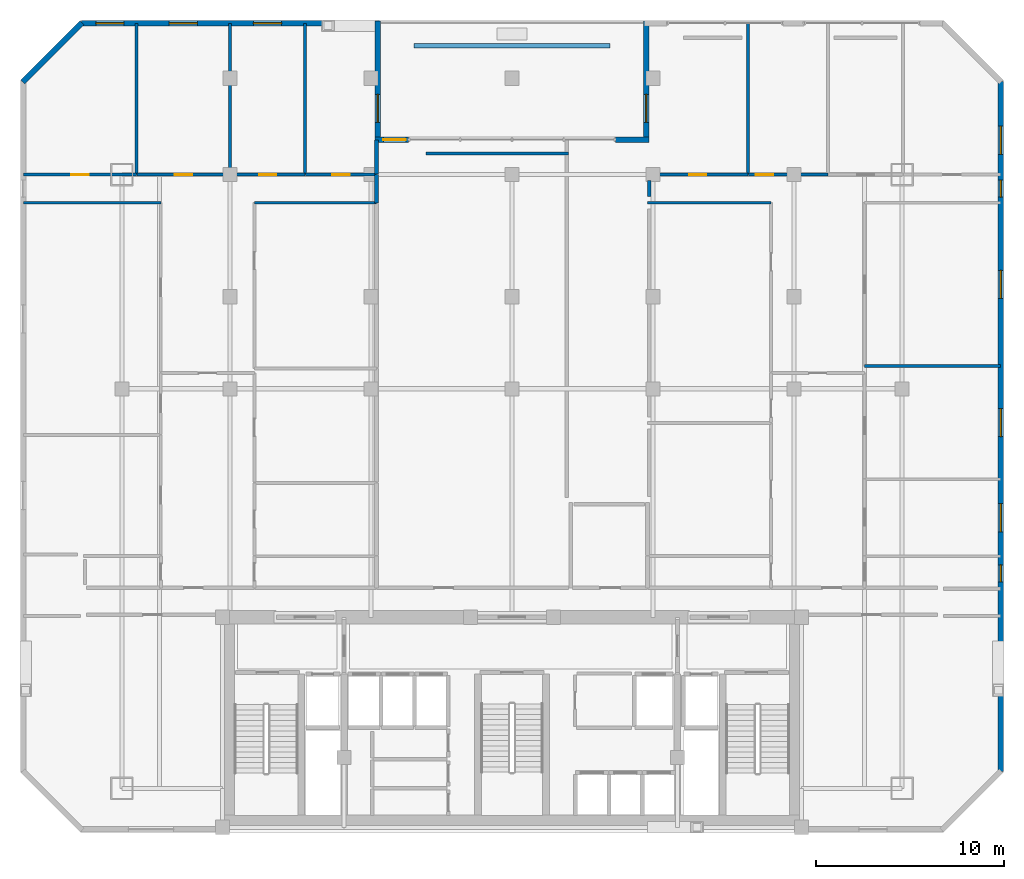
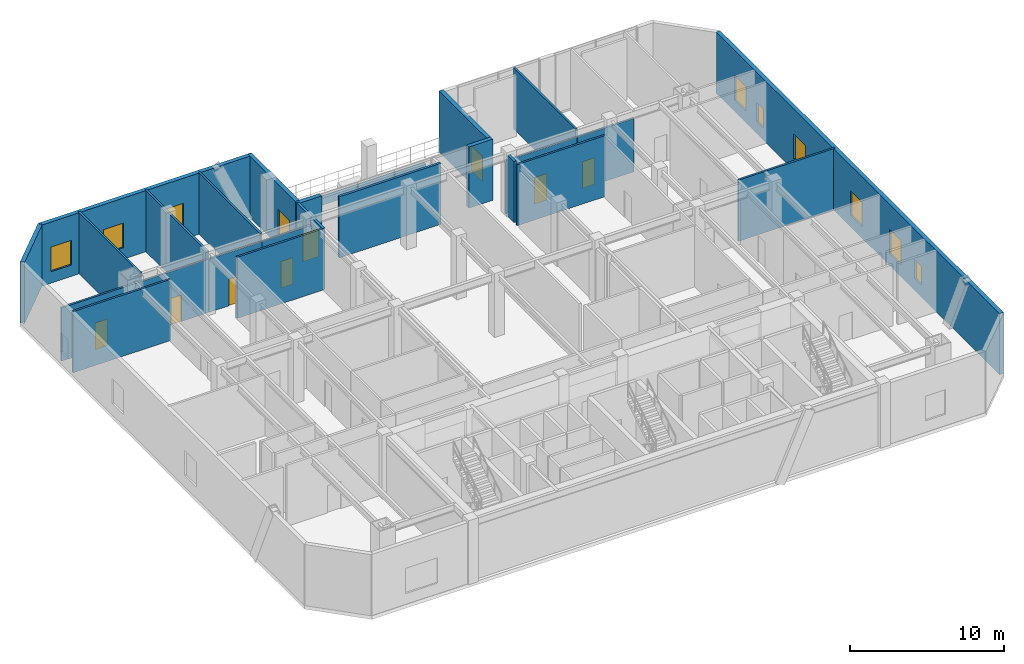
# One storey, part 9 of 11: 26 walls, 11 windows, 7 doors, 18 openings.
"""IFC4 building model written with IfcOpenShell, lengths in metres."""

from ifc_helpers import new_model, si_unit, direction, frame, frame_2d, origin, place, context, subcontext, project, spatial, rectangle, extrude, material, layer, layer_set, type_object, element, fill, save


model = new_model("IFC4")

# Units and contexts
model_context = context("Model", 3, precision=1e-05, world=origin(), true_north=direction((0.0, 1.0)))
body_context = subcontext(model_context, "Body", "Model", "MODEL_VIEW")
ifc_project = project(units=[si_unit("LENGTHUNIT", "METRE"), si_unit("AREAUNIT", "SQUARE_METRE"), si_unit("VOLUMEUNIT", "CUBIC_METRE"), si_unit("PLANEANGLEUNIT", "RADIAN"), si_unit("MASSUNIT", "GRAM", prefix="KILO")], contexts=[model_context])

# Site, building, storey
site_placement = place(None, origin())
site = spatial("IfcSite", under=ifc_project, at=site_placement, CompositionType="ELEMENT")
building_placement = place(site_placement, origin())
building = spatial("IfcBuilding", under=site, at=building_placement, Name="Ventersveld Concourse Tower", CompositionType="ELEMENT")
storey_placement = place(building_placement, frame((0.0, 0.0, 140.14990234375)))
storey = spatial("IfcBuildingStorey", under=building, at=storey_placement, Name="L34", CompositionType="ELEMENT", Elevation=140.14990234375)

# Walls
ifc_material_1 = material(Name="Fire-rated autoclaved aerated masonry blockwork", Category="masonry")
ifc_layer_1 = layer(ifc_material_1, 0.179931640625)
ifc_layer_set_1 = layer_set([ifc_layer_1], Name="Fire-rated autoclaved aerated masonry blockwork")
wall_type_1 = type_object("IfcWallType", Name="WL-CORR-180", PredefinedType="PARTITIONING", material=ifc_layer_set_1)
wall_1_placement = place(storey_placement, frame((24.16796875, 36.1201171875, 0.0), z_axis=(0.0, 0.0, 1.0), x_axis=(1.0, 0.0, 0.0)))
element("IfcWall", 1, at=wall_1_placement, inside=storey, type_object=wall_type_1, Name="L34 Room Enclosure Wall SP-L34-SLOB", PredefinedType="PARTITIONING", context=body_context, shape_type="SweptSolid", body=[
    extrude(rectangle(XDim=7.596923828125, YDim=0.179931640625, at=frame_2d((3.79833984375, 0.0))), origin(), (0.0, 0.0, 1.0), 4.830078125),
])
wall_2_placement = place(storey_placement, frame((36.050048828125, 33.824951171875, 0.0), z_axis=(0.0, 0.0, 1.0), x_axis=(0.0, 1.0, 0.0)))
element("IfcWall", 2, at=wall_2_placement, inside=storey, type_object=wall_type_1, Name="L34 Room Enclosure Wall SP-L34-34CE-LIV", PredefinedType="PARTITIONING", context=body_context, shape_type="SweptSolid", body=[
    extrude(rectangle(XDim=0.85009765625, YDim=0.179931640625, at=frame_2d((0.425048828125, 0.0))), origin(), (0.0, 0.0, 1.0), 4.830078125),
])
ifc_layer_2 = layer(ifc_material_1, 0.199951171875)
ifc_layer_set_2 = layer_set([ifc_layer_2], Name="Fire-rated autoclaved aerated masonry blockwork")
wall_type_2 = type_object("IfcWallType", Name="WL-DEMISE-200", PredefinedType="PARTITIONING", material=ifc_layer_set_2)
wall_3_placement = place(storey_placement, frame((21.5400390625, 33.4951171875, 0.0), z_axis=(0.0, 0.0, 1.0), x_axis=(0.0, 1.0, 0.0)))
element("IfcWall", 3, at=wall_3_placement, inside=storey, type_object=wall_type_2, Name="L34 Interior Partition SP-L34-SLOB-SP-L34-34CW-LIV", PredefinedType="PARTITIONING", context=body_context, shape_type="SweptSolid", body=[
    extrude(rectangle(XDim=1.509765625, YDim=0.199951171875, at=frame_2d((0.7548828125, 0.0))), origin(), (0.0, 0.0, 1.0), 4.830078125),
])
wall_4_placement = place(storey_placement, frame((21.5400390625, 35.034912109375, 0.0), z_axis=(0.0, 0.0, 1.0), x_axis=(0.0, 1.0, 0.0)))
element("IfcWall", 4, at=wall_4_placement, inside=storey, type_object=wall_type_2, Name="L34 Interior Partition SP-L34-SLOB-SP-L34-34CW-BR4", PredefinedType="PARTITIONING", context=body_context, shape_type="SweptSolid", body=[
    extrude(rectangle(XDim=1.79248046875, YDim=0.199951171875, at=frame_2d((0.896240234375, 0.0))), origin(), (0.0, 0.0, 1.0), 4.830078125),
])
ifc_material_2 = material(Name="Autoclaved aerated masonry blockwork", Category="masonry")
ifc_layer_3 = layer(ifc_material_2, 0.14990234375)
ifc_layer_set_3 = layer_set([ifc_layer_3], Name="Autoclaved aerated masonry blockwork")
wall_type_3 = type_object("IfcWallType", Name="WL-INT-150", PredefinedType="PARTITIONING", material=ifc_layer_set_3)
wall_5_placement = place(storey_placement, frame((2.7724609375, 33.5, 0.0), z_axis=(0.0, 0.0, 1.0), x_axis=(1.0, 0.0, 0.0)))
element("IfcWall", 5, at=wall_5_placement, inside=storey, type_object=wall_type_3, Name="L34 Interior Partition SP-L34-34CW-LIV-SP-L34-34CW-OFFL2", PredefinedType="PARTITIONING", context=body_context, shape_type="SweptSolid", body=[
    extrude(rectangle(XDim=7.30224609375, YDim=0.14990234375, at=frame_2d((3.651123046875, 0.0))), origin(), (0.0, 0.0, 1.0), 4.830078125),
])
wall_6_placement = place(storey_placement, frame((15.044677734375, 33.5, 0.0), z_axis=(0.0, 0.0, 1.0), x_axis=(1.0, 0.0, 0.0)))
element("IfcWall", 6, at=wall_6_placement, inside=storey, type_object=wall_type_3, Name="L34 Interior Partition SP-L34-34CW-LIV-SP-L34-34CW-DENS2", PredefinedType="PARTITIONING", context=body_context, shape_type="SweptSolid", body=[
    extrude(rectangle(XDim=6.500244140625, YDim=0.14990234375, at=frame_2d((3.25, 0.0))), origin(), (0.0, 0.0, 1.0), 4.830078125),
])

# Wall, opening, door
wall_7_placement = place(storey_placement, frame((2.7724609375, 35.0, 0.0), z_axis=(0.0, 0.0, 1.0), x_axis=(1.0, 0.0, 0.0)))
wall_7 = element("IfcWall", 7, at=wall_7_placement, inside=storey, type_object=wall_type_3, Name="L34 Interior Partition SP-L34-34CW-LIV-SP-L34-34CW-BR1", PredefinedType="PARTITIONING", context=body_context, shape_type="SweptSolid", body=[
    extrude(rectangle(XDim=6.005126953125, YDim=0.14990234375, at=frame_2d((3.00244140625, 0.0))), origin(), (0.0, 0.0, 1.0), 4.212890625),
])
opening_1_placement = place(wall_7_placement, frame((2.54248046875, 0.0, 0.0)))
opening_1 = element("IfcOpeningElement", 8, at=opening_1_placement, cuts=wall_7, Name="Opening ID1", PredefinedType="OPENING", context=body_context, shape_type="SweptSolid", body=[
    extrude(rectangle(XDim=0.919921875, YDim=2.10009765625, at=frame_2d((0.4599609375, 1.050048828125))), frame((0.0, 0.0849609375, 0.0), z_axis=(0.0, -1.0, 0.0), x_axis=(1.0, 0.0, 0.0)), (0.0, 0.0, 1.0), 0.169921875),
])
ifc_material_3 = material(Name="Solid-core hardwood veneer timber", Category="wood")
door_type_1 = type_object("IfcDoorType", Name="DR-ROOM-092", OperationType="NOTDEFINED", PredefinedType="DOOR", material=ifc_material_3)
door_1_placement = place(opening_1_placement, origin())
door_1 = element("IfcDoor", 9, at=door_1_placement, inside=storey, type_object=door_type_1, Name="L34 Interior Door SP-L34-34CW-LIV to SP-L34-34CW-BR1 (D-L34-1682)", OperationType="SINGLE_SWING_RIGHT", OverallHeight=2.10009765625, OverallWidth=0.919921875, PredefinedType="DOOR", context=body_context, shape_type="SweptSolid", body=[
    extrude(rectangle(XDim=0.919921875, YDim=2.10009765625, at=frame_2d((0.4599609375, 1.050048828125))), frame((0.0, 0.02490234375, 0.0), z_axis=(0.0, -1.0, 0.0), x_axis=(1.0, 0.0, 0.0)), (0.0, 0.0, 1.0), 0.050048828125),
])
fill(opening_1, door_1)

wall_8_placement = place(storey_placement, frame((8.8076171875, 35.0, 0.0), z_axis=(0.0, 0.0, 1.0), x_axis=(1.0, 0.0, 0.0)))
wall_8 = element("IfcWall", 10, at=wall_8_placement, inside=storey, type_object=wall_type_3, Name="L34 Interior Partition SP-L34-34CW-LIV-SP-L34-34CW-BR2", PredefinedType="PARTITIONING", context=body_context, shape_type="SweptSolid", body=[
    extrude(rectangle(XDim=4.947265625, YDim=0.14990234375, at=frame_2d((2.4736328125, 0.0))), origin(), (0.0, 0.0, 1.0), 4.212890625),
])
opening_2_placement = place(wall_8_placement, frame((2.013671875, 0.0, 0.0)))
opening_2 = element("IfcOpeningElement", 11, at=opening_2_placement, cuts=wall_8, Name="Opening ID1", PredefinedType="OPENING", context=body_context, shape_type="SweptSolid", body=[
    extrude(rectangle(XDim=0.919921875, YDim=2.10009765625, at=frame_2d((0.4599609375, 1.050048828125))), frame((0.0, 0.0849609375, 0.0), z_axis=(0.0, -1.0, 0.0), x_axis=(1.0, 0.0, 0.0)), (0.0, 0.0, 1.0), 0.169921875),
])
door_2_placement = place(opening_2_placement, origin())
door_2 = element("IfcDoor", 12, at=door_2_placement, inside=storey, type_object=door_type_1, Name="L34 Interior Door SP-L34-34CW-LIV to SP-L34-34CW-BR2 (D-L34-1683)", OperationType="SINGLE_SWING_LEFT", OverallHeight=2.10009765625, OverallWidth=0.919921875, PredefinedType="DOOR", context=body_context, shape_type="SweptSolid", body=[
    extrude(rectangle(XDim=0.919921875, YDim=2.10009765625, at=frame_2d((0.4599609375, 1.050048828125))), frame((0.0, 0.02490234375, 0.0), z_axis=(0.0, -1.0, 0.0), x_axis=(1.0, 0.0, 0.0)), (0.0, 0.0, 1.0), 0.050048828125),
])
fill(opening_2, door_2)

wall_9_placement = place(storey_placement, frame((13.784912109375, 35.0, 0.0), z_axis=(0.0, 0.0, 1.0), x_axis=(1.0, 0.0, 0.0)))
wall_9 = element("IfcWall", 13, at=wall_9_placement, inside=storey, type_object=wall_type_3, Name="L34 Interior Partition SP-L34-34CW-LIV-SP-L34-34CW-BR3", PredefinedType="PARTITIONING", context=body_context, shape_type="SweptSolid", body=[
    extrude(rectangle(XDim=3.9541015625, YDim=0.14990234375, at=frame_2d((1.97705078125, 0.0))), origin(), (0.0, 0.0, 1.0), 4.212890625),
])
opening_3_placement = place(wall_9_placement, frame((1.51708984375, 0.0, 0.0)))
opening_3 = element("IfcOpeningElement", 14, at=opening_3_placement, cuts=wall_9, Name="Opening ID1", PredefinedType="OPENING", context=body_context, shape_type="SweptSolid", body=[
    extrude(rectangle(XDim=0.919921875, YDim=2.10009765625, at=frame_2d((0.4599609375, 1.050048828125))), frame((0.0, 0.0849609375, 0.0), z_axis=(0.0, -1.0, 0.0), x_axis=(1.0, 0.0, 0.0)), (0.0, 0.0, 1.0), 0.169921875),
])
door_3_placement = place(opening_3_placement, origin())
door_3 = element("IfcDoor", 15, at=door_3_placement, inside=storey, type_object=door_type_1, Name="L34 Interior Door SP-L34-34CW-LIV to SP-L34-34CW-BR3 (D-L34-1684)", OperationType="SINGLE_SWING_RIGHT", OverallHeight=2.10009765625, OverallWidth=0.919921875, PredefinedType="DOOR", context=body_context, shape_type="SweptSolid", body=[
    extrude(rectangle(XDim=0.919921875, YDim=2.10009765625, at=frame_2d((0.4599609375, 1.050048828125))), frame((0.0, 0.02490234375, 0.0), z_axis=(0.0, -1.0, 0.0), x_axis=(1.0, 0.0, 0.0)), (0.0, 0.0, 1.0), 0.050048828125),
])
fill(opening_3, door_3)

wall_10_placement = place(storey_placement, frame((17.76904296875, 35.0, 0.0), z_axis=(0.0, 0.0, 1.0), x_axis=(1.0, 0.0, 0.0)))
wall_10 = element("IfcWall", 16, at=wall_10_placement, inside=storey, type_object=wall_type_3, Name="L34 Interior Partition SP-L34-34CW-LIV-SP-L34-34CW-BR4", PredefinedType="PARTITIONING", context=body_context, shape_type="SweptSolid", body=[
    extrude(rectangle(XDim=3.77587890625, YDim=0.14990234375, at=frame_2d((1.887939453125, 0.0))), origin(), (0.0, 0.0, 1.0), 4.212890625),
])
opening_4_placement = place(wall_10_placement, frame((1.427978515625, 0.0, 0.0)))
opening_4 = element("IfcOpeningElement", 17, at=opening_4_placement, cuts=wall_10, Name="Opening ID1", PredefinedType="OPENING", context=body_context, shape_type="SweptSolid", body=[
    extrude(rectangle(XDim=0.919921875, YDim=2.10009765625, at=frame_2d((0.4599609375, 1.050048828125))), frame((0.0, 0.0849609375, 0.0), z_axis=(0.0, -1.0, 0.0), x_axis=(1.0, 0.0, 0.0)), (0.0, 0.0, 1.0), 0.169921875),
])
door_4_placement = place(opening_4_placement, origin())
door_4 = element("IfcDoor", 18, at=door_4_placement, inside=storey, type_object=door_type_1, Name="L34 Interior Door SP-L34-34CW-LIV to SP-L34-34CW-BR4 (D-L34-1685)", OperationType="SINGLE_SWING_LEFT", OverallHeight=2.10009765625, OverallWidth=0.919921875, PredefinedType="DOOR", context=body_context, shape_type="SweptSolid", body=[
    extrude(rectangle(XDim=0.919921875, YDim=2.10009765625, at=frame_2d((0.4599609375, 1.050048828125))), frame((0.0, 0.02490234375, 0.0), z_axis=(0.0, -1.0, 0.0), x_axis=(1.0, 0.0, 0.0)), (0.0, 0.0, 1.0), 0.050048828125),
])
fill(opening_4, door_4)

# Walls
for number, where, z_axis, x_axis, name in (
    (19, (8.772705078125, 34.9951171875, 0.0), (0.0, 0.0, 1.0), (0.0, 1.0, 0.0), "L34 Interior Partition SP-L34-34CW-BR1-SP-L34-34CW-BR2"),
    (20, (13.75, 34.9951171875, 0.0), (0.0, 0.0, 1.0), (0.0, 1.0, 0.0), "L34 Interior Partition SP-L34-34CW-BR2-SP-L34-34CW-BR3"),
    (21, (17.734130859375, 34.9951171875, 0.0), (0.0, 0.0, 1.0), (0.0, 1.0, 0.0), "L34 Interior Partition SP-L34-34CW-BR3-SP-L34-34CW-BR4"),
):
    element("IfcWall", number, at=place(storey_placement, frame(where, z_axis=z_axis, x_axis=x_axis)), inside=storey, type_object=wall_type_3, Name=name, PredefinedType="PARTITIONING", context=body_context, shape_type="SweptSolid", body=[
        extrude(rectangle(XDim=8.032470703125, YDim=0.14990234375, at=frame_2d((4.01611328125, 0.0))), origin(), (0.0, 0.0, 1.0), 4.830078125),
    ])
wall_11_placement = place(storey_placement, frame((35.955078125, 33.5, 0.0), z_axis=(0.0, 0.0, 1.0), x_axis=(1.0, 0.0, 0.0)))
element("IfcWall", 22, at=wall_11_placement, inside=storey, type_object=wall_type_3, Name="L34 Interior Partition SP-L34-34CE-LIV-SP-L34-34CE-OFFL2", PredefinedType="PARTITIONING", context=body_context, shape_type="SweptSolid", body=[
    extrude(rectangle(XDim=6.574951171875, YDim=0.14990234375, at=frame_2d((3.28759765625, 0.0))), origin(), (0.0, 0.0, 1.0), 4.830078125),
])

# Wall, opening, door
wall_12_placement = place(storey_placement, frame((35.955078125, 35.0, 0.0), z_axis=(0.0, 0.0, 1.0), x_axis=(1.0, 0.0, 0.0)))
wall_12 = element("IfcWall", 23, at=wall_12_placement, inside=storey, type_object=wall_type_3, Name="L34 Interior Partition SP-L34-34CE-LIV-SP-L34-34CE-BR1", PredefinedType="PARTITIONING", context=body_context, shape_type="SweptSolid", body=[
    extrude(rectangle(XDim=5.3525390625, YDim=0.14990234375, at=frame_2d((2.67626953125, 0.0))), origin(), (0.0, 0.0, 1.0), 4.212890625),
])
opening_5_placement = place(wall_12_placement, frame((2.21630859375, 0.0, 0.0)))
opening_5 = element("IfcOpeningElement", 24, at=opening_5_placement, cuts=wall_12, Name="Opening ID1", PredefinedType="OPENING", context=body_context, shape_type="SweptSolid", body=[
    extrude(rectangle(XDim=0.919921875, YDim=2.10009765625, at=frame_2d((0.4599609375, 1.050048828125))), frame((0.0, 0.0849609375, 0.0), z_axis=(0.0, -1.0, 0.0), x_axis=(1.0, 0.0, 0.0)), (0.0, 0.0, 1.0), 0.169921875),
])
door_5_placement = place(opening_5_placement, origin())
door_5 = element("IfcDoor", 25, at=door_5_placement, inside=storey, type_object=door_type_1, Name="L34 Interior Door SP-L34-34CE-LIV to SP-L34-34CE-BR1 (D-L34-1695)", OperationType="SINGLE_SWING_LEFT", OverallHeight=2.10009765625, OverallWidth=0.919921875, PredefinedType="DOOR", context=body_context, shape_type="SweptSolid", body=[
    extrude(rectangle(XDim=0.919921875, YDim=2.10009765625, at=frame_2d((0.4599609375, 1.050048828125))), frame((0.0, 0.02490234375, 0.0), z_axis=(0.0, -1.0, 0.0), x_axis=(1.0, 0.0, 0.0)), (0.0, 0.0, 1.0), 0.050048828125),
])
fill(opening_5, door_5)

wall_13_placement = place(storey_placement, frame((41.337646484375, 35.0, 0.0), z_axis=(0.0, 0.0, 1.0), x_axis=(1.0, 0.0, 0.0)))
wall_13 = element("IfcWall", 26, at=wall_13_placement, inside=storey, type_object=wall_type_3, Name="L34 Interior Partition SP-L34-34CE-LIV-SP-L34-34CE-BR2", PredefinedType="PARTITIONING", context=body_context, shape_type="SweptSolid", body=[
    extrude(rectangle(XDim=4.225830078125, YDim=0.14990234375, at=frame_2d((2.11279296875, 0.0))), origin(), (0.0, 0.0, 1.0), 4.212890625),
])
opening_6_placement = place(wall_13_placement, frame((0.38525390625, 0.0, 0.0)))
opening_6 = element("IfcOpeningElement", 27, at=opening_6_placement, cuts=wall_13, Name="Opening ID1", PredefinedType="OPENING", context=body_context, shape_type="SweptSolid", body=[
    extrude(rectangle(XDim=0.919921875, YDim=2.10009765625, at=frame_2d((0.4599609375, 1.050048828125))), frame((0.0, 0.0849609375, 0.0), z_axis=(0.0, -1.0, 0.0), x_axis=(1.0, 0.0, 0.0)), (0.0, 0.0, 1.0), 0.169921875),
])
door_6_placement = place(opening_6_placement, origin())
door_6 = element("IfcDoor", 28, at=door_6_placement, inside=storey, type_object=door_type_1, Name="L34 Interior Door SP-L34-34CE-LIV to SP-L34-34CE-BR2 (D-L34-1696)", OperationType="SINGLE_SWING_RIGHT", OverallHeight=2.10009765625, OverallWidth=0.919921875, PredefinedType="DOOR", context=body_context, shape_type="SweptSolid", body=[
    extrude(rectangle(XDim=0.919921875, YDim=2.10009765625, at=frame_2d((0.4599609375, 1.050048828125))), frame((0.0, 0.02490234375, 0.0), z_axis=(0.0, -1.0, 0.0), x_axis=(1.0, 0.0, 0.0)), (0.0, 0.0, 1.0), 0.050048828125),
])
fill(opening_6, door_6)

# Walls
wall_14_placement = place(storey_placement, frame((47.5, 24.81298828125, 0.0), z_axis=(0.0, 0.0, 1.0), x_axis=(1.0, 0.0, 0.0)))
element("IfcWall", 29, at=wall_14_placement, inside=storey, type_object=wall_type_3, Name="L34 Interior Partition SP-L34-34CE-DENS-SP-L34-34CE-DENS2", PredefinedType="PARTITIONING", context=body_context, shape_type="SweptSolid", body=[
    extrude(rectangle(XDim=7.2275390625, YDim=0.14990234375, at=frame_2d((3.61376953125, 0.0))), origin(), (0.0, 0.0, 1.0), 4.830078125),
])
wall_15_placement = place(storey_placement, frame((41.302734375, 34.9951171875, 0.0), z_axis=(0.0, 0.0, 1.0), x_axis=(0.0, 1.0, 0.0)))
element("IfcWall", 30, at=wall_15_placement, inside=storey, type_object=wall_type_3, Name="L34 Interior Partition SP-L34-34CE-BR1-SP-L34-34CE-BR2", PredefinedType="PARTITIONING", context=body_context, shape_type="SweptSolid", body=[
    extrude(rectangle(XDim=8.036865234375, YDim=0.14990234375, at=frame_2d((4.0185546875, 0.0))), origin(), (0.0, 0.0, 1.0), 4.830078125),
])
ifc_material_4 = material(Name="Precast concrete C45/55", Category="concrete")
ifc_layer_4 = layer(ifc_material_4, 0.239990234375)
ifc_layer_set_4 = layer_set([ifc_layer_4], Name="Precast concrete C45/55")
wall_type_4 = type_object("IfcWallType", Name="WL-KERB-240", PredefinedType="PARAPET", material=ifc_layer_set_4)
wall_16_placement = place(storey_placement, frame((23.550048828125, 41.85009765625, 0.0), z_axis=(0.0, 0.0, 1.0), x_axis=(1.0, 0.0, 0.0)))
element("IfcWall", 31, at=wall_16_placement, inside=storey, type_object=wall_type_4, Name="L34 Landscaped Terrace Planter Kerb SKYGARDEN", PredefinedType="PARAPET", context=body_context, shape_type="SweptSolid", body=[
    extrude(rectangle(XDim=10.39990234375, YDim=0.239990234375, at=frame_2d((5.199951171875, 0.0))), origin(), (0.0, 0.0, 1.0), 0.550048828125),
])

# Wall, openings, windows
ifc_layer_5 = layer(ifc_material_4, 0.300048828125)
ifc_layer_set_5 = layer_set([ifc_layer_5], Name="Precast concrete C45/55")
wall_type_5 = type_object("IfcWallType", Name="WL-PREC-300", PredefinedType="SOLIDWALL", material=ifc_layer_set_5)
wall_17_placement = place(storey_placement, frame((54.75, 3.239990234375, 0.0), z_axis=(0.0, 0.0, 1.0), x_axis=(0.0, 1.0, 0.0)))
wall_17 = element("IfcWall", 32, at=wall_17_placement, inside=storey, type_object=wall_type_5, Name="L34 Highveld Precast Facade Wall E03", PredefinedType="SOLIDWALL", context=body_context, shape_type="SweptSolid", body=[
    extrude(rectangle(XDim=36.719970703125, YDim=0.300048828125, at=frame_2d((18.35986328125, 0.0))), origin(), (0.0, 0.0, 1.0), 4.830078125),
])
opening_7_placement = place(wall_17_placement, frame((30.56005859375, 0.0, 0.949951171875)))
opening_7 = element("IfcOpeningElement", 33, at=opening_7_placement, cuts=wall_17, Name="Opening W4", PredefinedType="OPENING", context=body_context, shape_type="SweptSolid", body=[
    extrude(rectangle(XDim=0.89990234375, YDim=1.5, at=frame_2d((0.449951171875, 0.75))), frame((0.0, 0.16015625, 0.0), z_axis=(0.0, -1.0, 0.0), x_axis=(1.0, 0.0, 0.0)), (0.0, 0.0, 1.0), 0.320068359375),
])
opening_8_placement = place(wall_17_placement, frame((10.094970703125, 0.0, 0.949951171875)))
opening_8 = element("IfcOpeningElement", 34, at=opening_8_placement, cuts=wall_17, Name="Opening W4", PredefinedType="OPENING", context=body_context, shape_type="SweptSolid", body=[
    extrude(rectangle(XDim=0.89990234375, YDim=1.5, at=frame_2d((0.449951171875, 0.75))), frame((0.0, 0.16015625, 0.0), z_axis=(0.0, -1.0, 0.0), x_axis=(1.0, 0.0, 0.0)), (0.0, 0.0, 1.0), 0.320068359375),
])
opening_9_placement = place(wall_17_placement, frame((12.7568359375, 0.0, 0.89990234375)))
opening_9 = element("IfcOpeningElement", 35, at=opening_9_placement, cuts=wall_17, Name="Opening W1", PredefinedType="OPENING", context=body_context, shape_type="SweptSolid", body=[
    extrude(rectangle(XDim=1.5, YDim=1.949951171875, at=frame_2d((0.75, 0.97509765625))), frame((0.0, 0.16015625, 0.0), z_axis=(0.0, -1.0, 0.0), x_axis=(1.0, 0.0, 0.0)), (0.0, 0.0, 1.0), 0.320068359375),
])
opening_10_placement = place(wall_17_placement, frame((17.813232421875, 0.0, 0.89990234375)))
opening_10 = element("IfcOpeningElement", 36, at=opening_10_placement, cuts=wall_17, Name="Opening W1", PredefinedType="OPENING", context=body_context, shape_type="SweptSolid", body=[
    extrude(rectangle(XDim=1.5, YDim=1.949951171875, at=frame_2d((0.75, 0.97509765625))), frame((0.0, 0.16015625, 0.0), z_axis=(0.0, -1.0, 0.0), x_axis=(1.0, 0.0, 0.0)), (0.0, 0.0, 1.0), 0.320068359375),
])
opening_11_placement = place(wall_17_placement, frame((25.16650390625, 0.0, 0.89990234375)))
opening_11 = element("IfcOpeningElement", 37, at=opening_11_placement, cuts=wall_17, Name="Opening W1", PredefinedType="OPENING", context=body_context, shape_type="SweptSolid", body=[
    extrude(rectangle(XDim=1.5, YDim=1.949951171875, at=frame_2d((0.75, 0.97509765625))), frame((0.0, 0.16015625, 0.0), z_axis=(0.0, -1.0, 0.0), x_axis=(1.0, 0.0, 0.0)), (0.0, 0.0, 1.0), 0.320068359375),
])
opening_12_placement = place(wall_17_placement, frame((32.833740234375, 0.0, 0.89990234375)))
opening_12 = element("IfcOpeningElement", 38, at=opening_12_placement, cuts=wall_17, Name="Opening W1", PredefinedType="OPENING", context=body_context, shape_type="SweptSolid", body=[
    extrude(rectangle(XDim=1.5, YDim=1.949951171875, at=frame_2d((0.75, 0.97509765625))), frame((0.0, 0.16015625, 0.0), z_axis=(0.0, -1.0, 0.0), x_axis=(1.0, 0.0, 0.0)), (0.0, 0.0, 1.0), 0.320068359375),
])
ifc_material_5 = material(Name="Tempered acoustic Low-E IGU", Category="glass")
window_type_1 = type_object("IfcWindowType", Name="WIN-090x150", PartitioningType="SINGLE_PANEL", PredefinedType="WINDOW", material=ifc_material_5)
window_1_placement = place(opening_7_placement, origin())
window_1 = element("IfcWindow", 39, at=window_1_placement, inside=storey, type_object=window_type_1, Name="L34 Punched Low-E Window W-0438", OverallHeight=1.5, OverallWidth=0.89990234375, PartitioningType="SINGLE_PANEL", PredefinedType="WINDOW", context=body_context, shape_type="SweptSolid", body=[
    extrude(rectangle(XDim=0.89990234375, YDim=1.5, at=frame_2d((0.449951171875, 0.75))), frame((0.0, 0.030029296875, 0.0), z_axis=(0.0, -1.0, 0.0), x_axis=(1.0, 0.0, 0.0)), (0.0, 0.0, 1.0), 0.06005859375),
])
fill(opening_7, window_1)
window_2_placement = place(opening_8_placement, origin())
window_2 = element("IfcWindow", 40, at=window_2_placement, inside=storey, type_object=window_type_1, Name="L34 Punched Low-E Window W-0439", OverallHeight=1.5, OverallWidth=0.89990234375, PartitioningType="SINGLE_PANEL", PredefinedType="WINDOW", context=body_context, shape_type="SweptSolid", body=[
    extrude(rectangle(XDim=0.89990234375, YDim=1.5, at=frame_2d((0.449951171875, 0.75))), frame((0.0, 0.030029296875, 0.0), z_axis=(0.0, -1.0, 0.0), x_axis=(1.0, 0.0, 0.0)), (0.0, 0.0, 1.0), 0.06005859375),
])
fill(opening_8, window_2)
window_type_2 = type_object("IfcWindowType", Name="WIN-150x210", PartitioningType="SINGLE_PANEL", PredefinedType="WINDOW", material=ifc_material_5)
window_3_placement = place(opening_9_placement, origin())
window_3 = element("IfcWindow", 41, at=window_3_placement, inside=storey, type_object=window_type_2, Name="L34 Punched Low-E Window W-0440", OverallHeight=1.949951171875, OverallWidth=1.5, PartitioningType="SINGLE_PANEL", PredefinedType="WINDOW", context=body_context, shape_type="SweptSolid", body=[
    extrude(rectangle(XDim=1.5, YDim=1.949951171875, at=frame_2d((0.75, 0.97509765625))), frame((0.0, 0.030029296875, 0.0), z_axis=(0.0, -1.0, 0.0), x_axis=(1.0, 0.0, 0.0)), (0.0, 0.0, 1.0), 0.06005859375),
])
fill(opening_9, window_3)
window_4_placement = place(opening_10_placement, origin())
window_4 = element("IfcWindow", 42, at=window_4_placement, inside=storey, type_object=window_type_2, Name="L34 Punched Low-E Window W-0441", OverallHeight=1.949951171875, OverallWidth=1.5, PartitioningType="SINGLE_PANEL", PredefinedType="WINDOW", context=body_context, shape_type="SweptSolid", body=[
    extrude(rectangle(XDim=1.5, YDim=1.949951171875, at=frame_2d((0.75, 0.97509765625))), frame((0.0, 0.030029296875, 0.0), z_axis=(0.0, -1.0, 0.0), x_axis=(1.0, 0.0, 0.0)), (0.0, 0.0, 1.0), 0.06005859375),
])
fill(opening_10, window_4)
window_5_placement = place(opening_11_placement, origin())
window_5 = element("IfcWindow", 43, at=window_5_placement, inside=storey, type_object=window_type_2, Name="L34 Punched Low-E Window W-0442", OverallHeight=1.949951171875, OverallWidth=1.5, PartitioningType="SINGLE_PANEL", PredefinedType="WINDOW", context=body_context, shape_type="SweptSolid", body=[
    extrude(rectangle(XDim=1.5, YDim=1.949951171875, at=frame_2d((0.75, 0.97509765625))), frame((0.0, 0.030029296875, 0.0), z_axis=(0.0, -1.0, 0.0), x_axis=(1.0, 0.0, 0.0)), (0.0, 0.0, 1.0), 0.06005859375),
])
fill(opening_11, window_5)
window_6_placement = place(opening_12_placement, origin())
window_6 = element("IfcWindow", 44, at=window_6_placement, inside=storey, type_object=window_type_2, Name="L34 Punched Low-E Window W-0444", OverallHeight=1.949951171875, OverallWidth=1.5, PartitioningType="SINGLE_PANEL", PredefinedType="WINDOW", context=body_context, shape_type="SweptSolid", body=[
    extrude(rectangle(XDim=1.5, YDim=1.949951171875, at=frame_2d((0.75, 0.97509765625))), frame((0.0, 0.030029296875, 0.0), z_axis=(0.0, -1.0, 0.0), x_axis=(1.0, 0.0, 0.0)), (0.0, 0.0, 1.0), 0.06005859375),
])
fill(opening_12, window_6)

# Wall, opening, window
wall_18_placement = place(storey_placement, frame((35.89990234375, 43.159912109375, 0.0), z_axis=(0.0, 0.0, 1.0), x_axis=(0.0, -1.0, 0.0)))
wall_18 = element("IfcWall", 45, at=wall_18_placement, inside=storey, type_object=wall_type_5, Name="L34 Highveld Precast Facade Wall E06", PredefinedType="SOLIDWALL", context=body_context, shape_type="SweptSolid", body=[
    extrude(rectangle(XDim=6.159912109375, YDim=0.300048828125, at=frame_2d((3.080078125, 0.0))), origin(), (0.0, 0.0, 1.0), 4.830078125),
])
opening_13_placement = place(wall_18_placement, frame((3.889892578125, 0.0, 0.89990234375)))
opening_13 = element("IfcOpeningElement", 46, at=opening_13_placement, cuts=wall_18, Name="Opening W1", PredefinedType="OPENING", context=body_context, shape_type="SweptSolid", body=[
    extrude(rectangle(XDim=1.5, YDim=1.949951171875, at=frame_2d((0.75, 0.97509765625))), frame((0.0, 0.16015625, 0.0), z_axis=(0.0, -1.0, 0.0), x_axis=(1.0, 0.0, 0.0)), (0.0, 0.0, 1.0), 0.320068359375),
])
window_7_placement = place(opening_13_placement, origin())
window_7 = element("IfcWindow", 47, at=window_7_placement, inside=storey, type_object=window_type_2, Name="L34 Punched Low-E Window W-0443", OverallHeight=1.949951171875, OverallWidth=1.5, PartitioningType="SINGLE_PANEL", PredefinedType="WINDOW", context=body_context, shape_type="SweptSolid", body=[
    extrude(rectangle(XDim=1.5, YDim=1.949951171875, at=frame_2d((0.75, 0.97509765625))), frame((0.0, 0.030029296875, 0.0), z_axis=(0.0, -1.0, 0.0), x_axis=(1.0, 0.0, 0.0)), (0.0, 0.0, 1.0), 0.06005859375),
])
fill(opening_13, window_7)

# Wall, opening, door
wall_19_placement = place(storey_placement, frame((21.449951171875, 36.85009765625, 0.0), z_axis=(0.0, 0.0, 1.0), x_axis=(1.0, 0.0, 0.0)))
wall_19 = element("IfcWall", 48, at=wall_19_placement, inside=storey, type_object=wall_type_5, Name="L34 Sky Garden West Pier", PredefinedType="SOLIDWALL", context=body_context, shape_type="SweptSolid", body=[
    extrude(rectangle(XDim=1.800048828125, YDim=0.300048828125, at=frame_2d((0.89990234375, 0.0))), origin(), (0.0, 0.0, 1.0), 4.830078125),
])
opening_14_placement = place(wall_19_placement, frame((0.4599609375, 0.0, 0.0)))
opening_14 = element("IfcOpeningElement", 49, at=opening_14_placement, cuts=wall_19, Name="Opening TD1", PredefinedType="OPENING", context=body_context, shape_type="SweptSolid", body=[
    extrude(rectangle(XDim=1.199951171875, YDim=2.199951171875, at=frame_2d((0.60009765625, 1.10009765625))), frame((0.0, 0.16015625, 0.0), z_axis=(0.0, -1.0, 0.0), x_axis=(1.0, 0.0, 0.0)), (0.0, 0.0, 1.0), 0.320068359375),
])
ifc_material_6 = material(Name="Anodised aluminium EN AW-6063-T6", Category="aluminium")
door_type_2 = type_object("IfcDoorType", Name="DR-TERR-120", OperationType="NOTDEFINED", PredefinedType="DOOR", material=ifc_material_6)
door_7_placement = place(opening_14_placement, origin())
door_7 = element("IfcDoor", 50, at=door_7_placement, inside=storey, type_object=door_type_2, Name="L34 Sky Garden Terrace Door TD-L34-01", OperationType="SINGLE_SWING_LEFT", OverallHeight=2.199951171875, OverallWidth=1.199951171875, PredefinedType="DOOR", context=body_context, shape_type="SweptSolid", body=[
    extrude(rectangle(XDim=1.199951171875, YDim=2.199951171875, at=frame_2d((0.60009765625, 1.10009765625))), frame((0.0, 0.02490234375, 0.0), z_axis=(0.0, -1.0, 0.0), x_axis=(1.0, 0.0, 0.0)), (0.0, 0.0, 1.0), 0.050048828125),
])
fill(opening_14, door_7)

# Wall
wall_20_placement = place(storey_placement, frame((34.25, 36.85009765625, 0.0), z_axis=(0.0, 0.0, 1.0), x_axis=(1.0, 0.0, 0.0)))
element("IfcWall", 51, at=wall_20_placement, inside=storey, type_object=wall_type_5, Name="L34 Sky Garden East Pier", PredefinedType="SOLIDWALL", context=body_context, shape_type="SweptSolid", body=[
    extrude(rectangle(XDim=1.800048828125, YDim=0.300048828125, at=frame_2d((0.89990234375, 0.0))), origin(), (0.0, 0.0, 1.0), 4.830078125),
])

# Wall, opening, window
wall_21_placement = place(storey_placement, frame((21.60009765625, 37.0, 0.0), z_axis=(0.0, 0.0, 1.0), x_axis=(0.0, 1.0, 0.0)))
wall_21 = element("IfcWall", 52, at=wall_21_placement, inside=storey, type_object=wall_type_5, Name="L34 Highveld Precast Facade Wall E08", PredefinedType="SOLIDWALL", context=body_context, shape_type="SweptSolid", body=[
    extrude(rectangle(XDim=6.159912109375, YDim=0.300048828125, at=frame_2d((3.080078125, 0.0))), origin(), (0.0, 0.0, 1.0), 4.830078125),
])
opening_15_placement = place(wall_21_placement, frame((0.77001953125, 0.0, 0.89990234375)))
opening_15 = element("IfcOpeningElement", 53, at=opening_15_placement, cuts=wall_21, Name="Opening W1", PredefinedType="OPENING", context=body_context, shape_type="SweptSolid", body=[
    extrude(rectangle(XDim=1.5, YDim=1.949951171875, at=frame_2d((0.75, 0.97509765625))), frame((0.0, 0.16015625, 0.0), z_axis=(0.0, -1.0, 0.0), x_axis=(1.0, 0.0, 0.0)), (0.0, 0.0, 1.0), 0.320068359375),
])
window_8_placement = place(opening_15_placement, origin())
window_8 = element("IfcWindow", 54, at=window_8_placement, inside=storey, type_object=window_type_2, Name="L34 Punched Low-E Window W-0437", OverallHeight=1.949951171875, OverallWidth=1.5, PartitioningType="SINGLE_PANEL", PredefinedType="WINDOW", context=body_context, shape_type="SweptSolid", body=[
    extrude(rectangle(XDim=1.5, YDim=1.949951171875, at=frame_2d((0.75, 0.97509765625))), frame((0.0, 0.030029296875, 0.0), z_axis=(0.0, -1.0, 0.0), x_axis=(1.0, 0.0, 0.0)), (0.0, 0.0, 1.0), 0.06005859375),
])
fill(opening_15, window_8)

# Wall, openings, windows
wall_22_placement = place(storey_placement, frame((21.7099609375, 43.050048828125, 0.0), z_axis=(0.0, 0.0, 1.0), x_axis=(-1.0, 0.0, 0.0)))
wall_22 = element("IfcWall", 55, at=wall_22_placement, inside=storey, type_object=wall_type_5, Name="L34 Highveld Precast Facade Wall E09", PredefinedType="SOLIDWALL", context=body_context, shape_type="SweptSolid", body=[
    extrude(rectangle(XDim=15.869873046875, YDim=0.300048828125, at=frame_2d((7.93505859375, 0.0))), origin(), (0.0, 0.0, 1.0), 4.830078125),
])
opening_16_placement = place(wall_22_placement, frame((13.60009765625, 0.0, 0.89990234375)))
opening_16 = element("IfcOpeningElement", 56, at=opening_16_placement, cuts=wall_22, Name="Opening W1", PredefinedType="OPENING", context=body_context, shape_type="SweptSolid", body=[
    extrude(rectangle(XDim=1.5, YDim=1.949951171875, at=frame_2d((0.75, 0.97509765625))), frame((0.0, 0.16015625, 0.0), z_axis=(0.0, -1.0, 0.0), x_axis=(1.0, 0.0, 0.0)), (0.0, 0.0, 1.0), 0.320068359375),
])
opening_17_placement = place(wall_22_placement, frame((9.69873046875, 0.0, 0.89990234375)))
opening_17 = element("IfcOpeningElement", 57, at=opening_17_placement, cuts=wall_22, Name="Opening W1", PredefinedType="OPENING", context=body_context, shape_type="SweptSolid", body=[
    extrude(rectangle(XDim=1.5, YDim=1.949951171875, at=frame_2d((0.75, 0.97509765625))), frame((0.0, 0.16015625, 0.0), z_axis=(0.0, -1.0, 0.0), x_axis=(1.0, 0.0, 0.0)), (0.0, 0.0, 1.0), 0.320068359375),
])
opening_18_placement = place(wall_22_placement, frame((5.218017578125, 0.0, 0.89990234375)))
opening_18 = element("IfcOpeningElement", 58, at=opening_18_placement, cuts=wall_22, Name="Opening W1", PredefinedType="OPENING", context=body_context, shape_type="SweptSolid", body=[
    extrude(rectangle(XDim=1.5, YDim=1.949951171875, at=frame_2d((0.75, 0.97509765625))), frame((0.0, 0.16015625, 0.0), z_axis=(0.0, -1.0, 0.0), x_axis=(1.0, 0.0, 0.0)), (0.0, 0.0, 1.0), 0.320068359375),
])
window_9_placement = place(opening_16_placement, origin())
window_9 = element("IfcWindow", 59, at=window_9_placement, inside=storey, type_object=window_type_2, Name="L34 Punched Low-E Window W-0434", OverallHeight=1.949951171875, OverallWidth=1.5, PartitioningType="SINGLE_PANEL", PredefinedType="WINDOW", context=body_context, shape_type="SweptSolid", body=[
    extrude(rectangle(XDim=1.5, YDim=1.949951171875, at=frame_2d((0.75, 0.97509765625))), frame((0.0, 0.030029296875, 0.0), z_axis=(0.0, -1.0, 0.0), x_axis=(1.0, 0.0, 0.0)), (0.0, 0.0, 1.0), 0.06005859375),
])
fill(opening_16, window_9)
window_10_placement = place(opening_17_placement, origin())
window_10 = element("IfcWindow", 60, at=window_10_placement, inside=storey, type_object=window_type_2, Name="L34 Punched Low-E Window W-0435", OverallHeight=1.949951171875, OverallWidth=1.5, PartitioningType="SINGLE_PANEL", PredefinedType="WINDOW", context=body_context, shape_type="SweptSolid", body=[
    extrude(rectangle(XDim=1.5, YDim=1.949951171875, at=frame_2d((0.75, 0.97509765625))), frame((0.0, 0.030029296875, 0.0), z_axis=(0.0, -1.0, 0.0), x_axis=(1.0, 0.0, 0.0)), (0.0, 0.0, 1.0), 0.06005859375),
])
fill(opening_17, window_10)
window_11_placement = place(opening_18_placement, origin())
window_11 = element("IfcWindow", 61, at=window_11_placement, inside=storey, type_object=window_type_2, Name="L34 Punched Low-E Window W-0436", OverallHeight=1.949951171875, OverallWidth=1.5, PartitioningType="SINGLE_PANEL", PredefinedType="WINDOW", context=body_context, shape_type="SweptSolid", body=[
    extrude(rectangle(XDim=1.5, YDim=1.949951171875, at=frame_2d((0.75, 0.97509765625))), frame((0.0, 0.030029296875, 0.0), z_axis=(0.0, -1.0, 0.0), x_axis=(1.0, 0.0, 0.0)), (0.0, 0.0, 1.0), 0.06005859375),
])
fill(opening_18, window_11)

# Wall
wall_23_placement = place(storey_placement, frame((5.877685546875, 43.065673828125, 0.0), z_axis=(0.0, 0.0, 1.0), x_axis=(-0.707079321262, -0.707134240044, 0.0)))
element("IfcWall", 62, at=wall_23_placement, inside=storey, type_object=wall_type_5, Name="L34 Highveld Precast Facade Wall E10", PredefinedType="SOLIDWALL", context=body_context, shape_type="SweptSolid", body=[
    extrude(rectangle(XDim=4.445556640625, YDim=0.300048828125, at=frame_2d((2.22265625, 0.0))), origin(), (0.0, 0.0, 1.0), 4.830078125),
])

save(model, "model.ifc")
